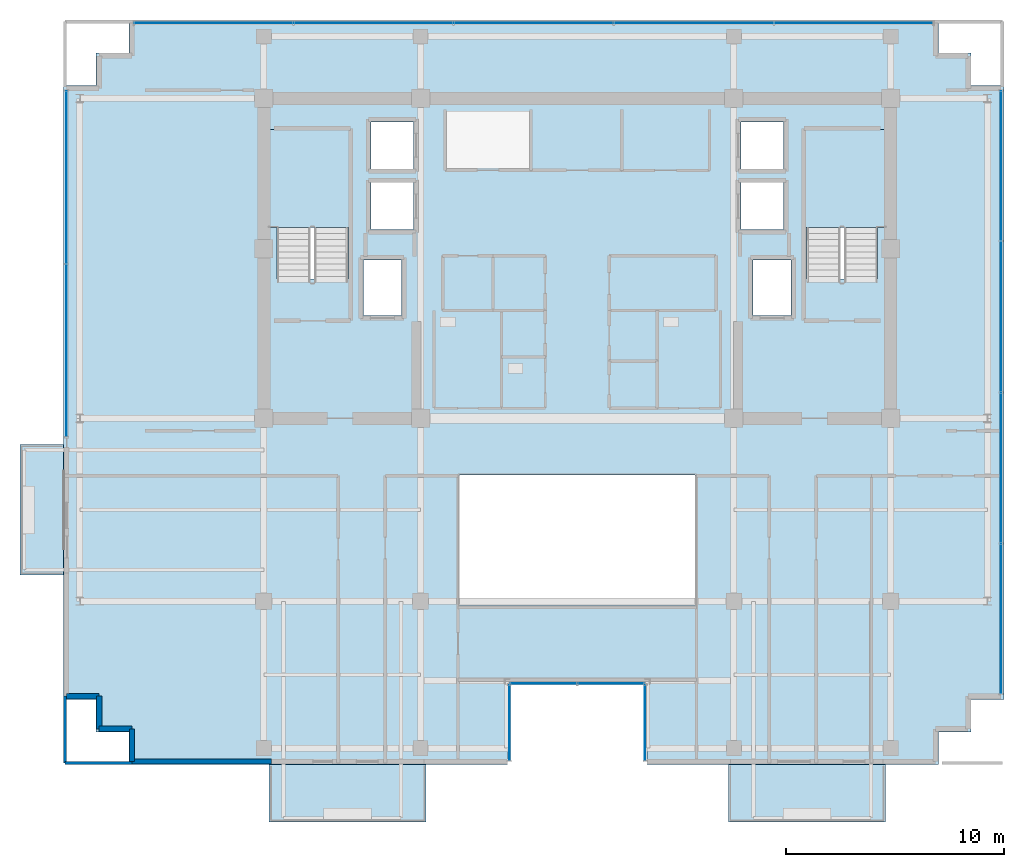
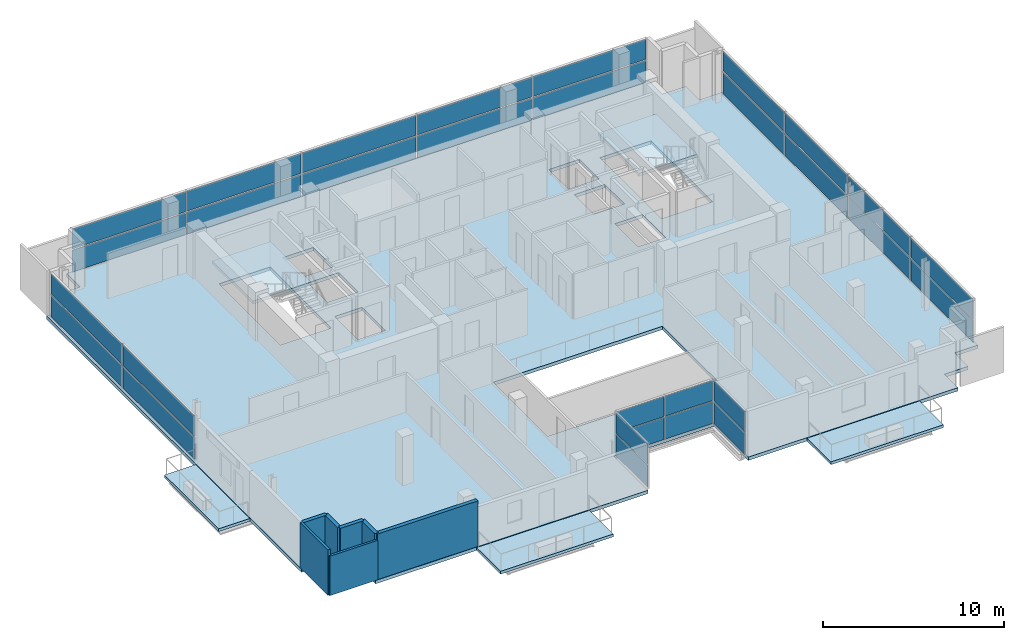
# One storey, part 14 of 22: 30 plates, 7 walls, 6 slabs, 8 elements without a shape of their own.
"""IFC4 building model written with IfcOpenShell, lengths in metres."""

from ifc_helpers import new_model, si_unit, direction, frame, frame_2d, origin, origin_2d, place, context, subcontext, project, spatial, polyline, rectangle, outline, extrude, source, transform, mapped, material, layer, layer_set, type_object, element, aggregate, save


model = new_model("IFC4")

# Units and contexts
model_context = context("Model", 3, precision=1e-05, world=origin(), true_north=direction((0.0, 1.0)))
body_context = subcontext(model_context, "Body", "Model", "MODEL_VIEW")
ifc_project = project(units=[si_unit("LENGTHUNIT", "METRE"), si_unit("AREAUNIT", "SQUARE_METRE"), si_unit("VOLUMEUNIT", "CUBIC_METRE"), si_unit("PLANEANGLEUNIT", "RADIAN"), si_unit("MASSUNIT", "GRAM", prefix="KILO")], contexts=[model_context])

# Site, building, storey
site_placement = place(None, origin())
site = spatial("IfcSite", under=ifc_project, at=site_placement, CompositionType="ELEMENT")
building_placement = place(site_placement, origin())
building = spatial("IfcBuilding", under=site, at=building_placement, Name="Zarnakvel Exchange Tower", CompositionType="ELEMENT")
storey_placement = place(building_placement, frame((0.0, 0.0, 228.699951171875)))
storey = spatial("IfcBuildingStorey", under=building, at=storey_placement, Name="L64", CompositionType="ELEMENT", Elevation=228.699951171875)

# Stair, slab
ifc_material_1 = material(Name="Concrete C40/50", Category="concrete")
stair_type = type_object("IfcStairType", Name="STR-01", PredefinedType="HALF_TURN_STAIR", material=ifc_material_1)
stair_1_placement = place(storey_placement, origin())
stair_1 = element("IfcStair", 1, at=stair_1_placement, inside=storey, type_object=stair_type, Name="L64 Protected Core Exit Stair ST-01", PredefinedType="HALF_TURN_STAIR")
ifc_layer_1 = layer(ifc_material_1, 0.199951171875)
ifc_layer_set_1 = layer_set([ifc_layer_1], Name="Concrete C40/50")
slab_type_1 = type_object("IfcSlabType", Name="LDG-01", PredefinedType="LANDING", material=ifc_layer_set_1)
slab_1_placement = place(storey_placement, frame((0.0, 0.0, 1.449951171875)))
slab_1 = element("IfcSlab", 2, at=slab_1_placement, type_object=slab_type_1, Name="ST-01 landing 1", PredefinedType="LANDING", context=body_context, shape_type="SweptSolid", body=[
    extrude(outline(polyline([(-14.18994140625, 7.570068359375), (-10.4599609375, 7.570068359375), (-10.4599609375, 12.080078125), (-14.18994140625, 12.080078125), (-14.18994140625, 7.570068359375)])), origin(), (0.0, 0.0, 1.0), 0.2001953125),
])
aggregate(stair_1, [slab_1])

stair_2_placement = place(storey_placement, origin())
stair_2 = element("IfcStair", 3, at=stair_2_placement, inside=storey, type_object=stair_type, Name="L64 Protected Core Exit Stair ST-02", PredefinedType="HALF_TURN_STAIR")
slab_2_placement = place(storey_placement, frame((0.0, 0.0, 1.449951171875)))
slab_2 = element("IfcSlab", 4, at=slab_2_placement, type_object=slab_type_1, Name="ST-02 landing 1", PredefinedType="LANDING", context=body_context, shape_type="SweptSolid", body=[
    extrude(outline(polyline([(10.4599609375, 7.570068359375), (14.18994140625, 7.570068359375), (14.18994140625, 12.080078125), (10.4599609375, 12.080078125), (10.4599609375, 7.570068359375)])), origin(), (0.0, 0.0, 1.0), 0.2001953125),
])
aggregate(stair_2, [slab_2])

# Slabs
ifc_layer_2 = layer(ifc_material_1, 0.22509765625)
ifc_layer_set_2 = layer_set([ifc_layer_2], Name="Concrete C40/50")
slab_type_2 = type_object("IfcSlabType", Name="SL-04", PredefinedType="FLOOR", material=ifc_layer_set_2)
slab_3_placement = place(storey_placement, frame((0.0, 0.0, -0.224853515625)))
element("IfcSlab", 5, at=slab_3_placement, inside=storey, type_object=slab_type_2, Name="L64 Primary Structural Floor Slab", PredefinedType="FLOOR", context=body_context, shape_type="SweptSolid", body=[
    extrude(outline(polyline([(-23.60009765625, -14.10009765625), (-22.10009765625, -14.10009765625), (-22.10009765625, -15.60009765625), (-20.60009765625, -15.60009765625), (-20.60009765625, -17.10009765625), (-3.199951171875, -17.10009765625), (-3.199951171875, -13.300048828125), (3.199951171875, -13.300048828125), (3.199951171875, -17.10009765625), (16.60009765625, -17.10009765625), (16.60009765625, -15.60009765625), (18.10009765625, -15.60009765625), (18.10009765625, -14.10009765625), (19.60009765625, -14.10009765625), (19.60009765625, 14.10009765625), (18.10009765625, 14.10009765625), (18.10009765625, 15.60009765625), (16.60009765625, 15.60009765625), (16.60009765625, 17.10009765625), (-20.60009765625, 17.10009765625), (-20.60009765625, 15.60009765625), (-22.10009765625, 15.60009765625), (-22.10009765625, 14.10009765625), (-23.60009765625, 14.10009765625), (-23.60009765625, -14.10009765625)]), holes=[polyline([(-5.39990234375, -9.800048828125), (5.39990234375, -9.800048828125), (5.39990234375, -3.800048828125), (-5.39990234375, -3.800048828125), (-5.39990234375, -9.800048828125)]), polyline([(-13.800048828125, 5.2099609375), (-10.5400390625, 5.2099609375), (-10.5400390625, 12.0), (-13.800048828125, 12.0), (-13.800048828125, 5.2099609375)]), polyline([(10.5400390625, 5.2099609375), (13.800048828125, 5.2099609375), (13.800048828125, 12.0), (10.5400390625, 12.0), (10.5400390625, 5.2099609375)]), polyline([(-9.830078125, 3.52001953125), (-8.070068359375, 3.52001953125), (-8.070068359375, 6.080078125), (-9.830078125, 6.080078125), (-9.830078125, 3.52001953125)]), polyline([(8.070068359375, 3.52001953125), (9.830078125, 3.52001953125), (9.830078125, 6.080078125), (8.070068359375, 6.080078125), (8.070068359375, 3.52001953125)]), polyline([(-9.47998046875, 7.469970703125), (-7.52001953125, 7.469970703125), (-7.52001953125, 9.6298828125), (-9.47998046875, 9.6298828125), (-9.47998046875, 7.469970703125)]), polyline([(-9.47998046875, 10.27001953125), (-7.52001953125, 10.27001953125), (-7.52001953125, 12.429931640625), (-9.47998046875, 12.429931640625), (-9.47998046875, 10.27001953125)]), polyline([(7.52001953125, 7.469970703125), (9.47998046875, 7.469970703125), (9.47998046875, 9.6298828125), (7.52001953125, 9.6298828125), (7.52001953125, 7.469970703125)]), polyline([(7.52001953125, 10.27001953125), (9.47998046875, 10.27001953125), (9.47998046875, 12.429931640625), (7.52001953125, 12.429931640625), (7.52001953125, 10.27001953125)])]), origin(), (0.0, 0.0, 1.0), 0.224853515625),
])
ifc_layer_3 = layer(ifc_material_1, 0.18994140625)
ifc_layer_set_3 = layer_set([ifc_layer_3], Name="Concrete C40/50")
slab_type_3 = type_object("IfcSlabType", Name="SL-08", PredefinedType="USERDEFINED", material=ifc_layer_set_3)
slab_4_placement = place(storey_placement, frame((0.0, 0.0, -0.224853515625)))
element("IfcSlab", 6, at=slab_4_placement, inside=storey, type_object=slab_type_3, Name="L64 Planted Loggia Balcony Slab BAL-L64-SW", ObjectType="BALCONY", PredefinedType="USERDEFINED", context=body_context, shape_type="SweptSolid", body=[
    extrude(outline(polyline([(-14.14990234375, -19.75), (-6.949951171875, -19.75), (-6.949951171875, -17.10009765625), (-14.14990234375, -17.10009765625), (-14.14990234375, -19.75)])), origin(), (0.0, 0.0, 1.0), 0.18994140625),
])
slab_5_placement = place(storey_placement, frame((0.0, 0.0, -0.224853515625)))
element("IfcSlab", 7, at=slab_5_placement, inside=storey, type_object=slab_type_3, Name="L64 Planted Loggia Balcony Slab BAL-L64-SE", ObjectType="BALCONY", PredefinedType="USERDEFINED", context=body_context, shape_type="SweptSolid", body=[
    extrude(outline(polyline([(6.949951171875, -19.75), (14.14990234375, -19.75), (14.14990234375, -17.10009765625), (6.949951171875, -17.10009765625), (6.949951171875, -19.75)])), origin(), (0.0, 0.0, 1.0), 0.18994140625),
])
slab_6_placement = place(storey_placement, frame((0.0, 0.0, -0.224853515625)))
element("IfcSlab", 8, at=slab_6_placement, inside=storey, type_object=slab_type_3, Name="L64 Planted Loggia Balcony Slab BAL-L64-W", ObjectType="BALCONY", PredefinedType="USERDEFINED", context=body_context, shape_type="SweptSolid", body=[
    extrude(outline(polyline([(-25.60009765625, -8.39990234375), (-23.60009765625, -8.39990234375), (-23.60009765625, -2.39990234375), (-25.60009765625, -2.39990234375), (-25.60009765625, -8.39990234375)])), origin(), (0.0, 0.0, 1.0), 0.18994140625),
])

# Curtain wall, plate
ifc_material_2 = material(Name="Architectural Bronze Anodised Aluminium", Category="aluminium")
ifc_layer_4 = layer(ifc_material_2, 0.179931640625)
ifc_layer_set_4 = layer_set([ifc_layer_4], Name="Architectural Bronze Anodised Aluminium")
curtain_wall_type_1 = type_object("IfcCurtainWallType", Name="CW-05", PredefinedType="NOTDEFINED", material=ifc_layer_set_4)
curtain_wall_1_placement = place(storey_placement, origin())
curtain_wall_1 = element("IfcCurtainWall", 9, at=curtain_wall_1_placement, inside=storey, type_object=curtain_wall_type_1, Name="L64 Curtain Wall CW-L64-SLW (CW-05)", PredefinedType="NOTDEFINED")
ifc_material_3 = material(Name="Double Low-E Laminated Vision Glass", Category="glass")
ifc_layer_5 = layer(ifc_material_3, 0.02587890625)
ifc_layer_set_5 = layer_set([ifc_layer_5], Name="Double Low-E Laminated Vision Glass")
plate_type_1 = type_object("IfcPlateType", Name="CWP-05", PredefinedType="CURTAIN_PANEL", material=ifc_layer_set_5)
shared_shape_1 = source(origin(), body_context, "Body", "SweptSolid", [
    extrude(rectangle(XDim=3.4599609375, YDim=0.02587890625, at=origin_2d()), origin(), (0.0, 0.0, 1.0), 1.483642578125),
])
plate_1_placement = place(storey_placement, frame((-3.1201171875, -15.179931640625, 0.06982421875), z_axis=(0.0, 0.0, 1.0), x_axis=(0.0, 1.0, 0.0)))
plate_1 = element("IfcPlate", 10, at=plate_1_placement, type_object=plate_type_1, Name="CW-05 panel 1.1", PredefinedType="CURTAIN_PANEL", context=body_context, shape_type="MappedRepresentation", body=[
    mapped(shared_shape_1, transform((0.0, 0.0, 0.0), x_axis=(1.0, 0.0, 0.0), y_axis=(0.0, 1.0, 0.0), z_axis=(0.0, 0.0, 1.0), scale=1.0)),
])

curtain_wall_2_placement = place(storey_placement, origin())
curtain_wall_2 = element("IfcCurtainWall", 11, at=curtain_wall_2_placement, inside=storey, type_object=curtain_wall_type_1, Name="L64 Curtain Wall CW-L64-SLE (CW-05)", PredefinedType="NOTDEFINED")
plate_2_placement = place(storey_placement, frame((3.1201171875, -15.179931640625, 0.06982421875), z_axis=(0.0, 0.0, 1.0), x_axis=(0.0, -1.0, 0.0)))
plate_2 = element("IfcPlate", 12, at=plate_2_placement, type_object=plate_type_1, Name="CW-05 panel 1.1", PredefinedType="CURTAIN_PANEL", context=body_context, shape_type="MappedRepresentation", body=[
    mapped(shared_shape_1, transform((0.0, 0.0, 0.0), x_axis=(1.0, 0.0, 0.0), y_axis=(0.0, 1.0, 0.0), z_axis=(0.0, 0.0, 1.0), scale=1.0)),
])

# Plate
shared_shape_2 = source(origin(), body_context, "Body", "SweptSolid", [
    extrude(rectangle(XDim=3.4599609375, YDim=0.02587890625, at=origin_2d()), origin(), (0.0, 0.0, 1.0), 1.361328125),
])
plate_3_placement = place(storey_placement, frame((-3.1201171875, -15.179931640625, 1.623779296875), z_axis=(0.0, 0.0, 1.0), x_axis=(0.0, 1.0, 0.0)))
plate_3 = element("IfcPlate", 13, at=plate_3_placement, type_object=plate_type_1, Name="CW-05 panel 1.2", PredefinedType="CURTAIN_PANEL", context=body_context, shape_type="MappedRepresentation", body=[
    mapped(shared_shape_2, transform((0.0, 0.0, 0.0), x_axis=(1.0, 0.0, 0.0), y_axis=(0.0, 1.0, 0.0), z_axis=(0.0, 0.0, 1.0), scale=1.0)),
])

aggregate(curtain_wall_1, [plate_1, plate_3])

plate_4_placement = place(storey_placement, frame((3.1201171875, -15.179931640625, 1.623779296875), z_axis=(0.0, 0.0, 1.0), x_axis=(0.0, -1.0, 0.0)))
plate_4 = element("IfcPlate", 14, at=plate_4_placement, type_object=plate_type_1, Name="CW-05 panel 1.2", PredefinedType="CURTAIN_PANEL", context=body_context, shape_type="MappedRepresentation", body=[
    mapped(shared_shape_2, transform((0.0, 0.0, 0.0), x_axis=(1.0, 0.0, 0.0), y_axis=(0.0, 1.0, 0.0), z_axis=(0.0, 0.0, 1.0), scale=1.0)),
])

aggregate(curtain_wall_2, [plate_2, plate_4])

# Curtain wall, plates
curtain_wall_3_placement = place(storey_placement, origin())
curtain_wall_3 = element("IfcCurtainWall", 15, at=curtain_wall_3_placement, inside=storey, type_object=curtain_wall_type_1, Name="L64 Curtain Wall CW-L64-SLB (CW-05)", PredefinedType="NOTDEFINED")
shared_shape_3 = source(origin(), body_context, "Body", "SweptSolid", [
    extrude(rectangle(XDim=3.014892578125, YDim=0.02587890625, at=origin_2d()), origin(), (0.0, 0.0, 1.0), 1.483642578125),
])
plate_5_placement = place(storey_placement, frame((-1.54248046875, -13.3798828125, 0.06982421875), z_axis=(0.0, 0.0, 1.0), x_axis=(1.0, 0.0, 0.0)))
plate_5 = element("IfcPlate", 16, at=plate_5_placement, type_object=plate_type_1, Name="CW-05 panel 1.1", PredefinedType="CURTAIN_PANEL", context=body_context, shape_type="MappedRepresentation", body=[
    mapped(shared_shape_3, transform((0.0, 0.0, 0.0), x_axis=(1.0, 0.0, 0.0), y_axis=(0.0, 1.0, 0.0), z_axis=(0.0, 0.0, 1.0), scale=1.0)),
])
plate_6_placement = place(storey_placement, frame((1.54248046875, -13.3798828125, 0.06982421875), z_axis=(0.0, 0.0, 1.0), x_axis=(1.0, 0.0, 0.0)))
plate_6 = element("IfcPlate", 17, at=plate_6_placement, type_object=plate_type_1, Name="CW-05 panel 2.1", PredefinedType="CURTAIN_PANEL", context=body_context, shape_type="MappedRepresentation", body=[
    mapped(shared_shape_3, transform((0.0, 0.0, 0.0), x_axis=(1.0, 0.0, 0.0), y_axis=(0.0, 1.0, 0.0), z_axis=(0.0, 0.0, 1.0), scale=1.0)),
])
shared_shape_4 = source(origin(), body_context, "Body", "SweptSolid", [
    extrude(rectangle(XDim=3.014892578125, YDim=0.02587890625, at=origin_2d()), origin(), (0.0, 0.0, 1.0), 1.361328125),
])
plate_7_placement = place(storey_placement, frame((-1.54248046875, -13.3798828125, 1.623779296875), z_axis=(0.0, 0.0, 1.0), x_axis=(1.0, 0.0, 0.0)))
plate_7 = element("IfcPlate", 18, at=plate_7_placement, type_object=plate_type_1, Name="CW-05 panel 1.2", PredefinedType="CURTAIN_PANEL", context=body_context, shape_type="MappedRepresentation", body=[
    mapped(shared_shape_4, transform((0.0, 0.0, 0.0), x_axis=(1.0, 0.0, 0.0), y_axis=(0.0, 1.0, 0.0), z_axis=(0.0, 0.0, 1.0), scale=1.0)),
])
plate_8_placement = place(storey_placement, frame((1.54248046875, -13.3798828125, 1.623779296875), z_axis=(0.0, 0.0, 1.0), x_axis=(1.0, 0.0, 0.0)))
plate_8 = element("IfcPlate", 19, at=plate_8_placement, type_object=plate_type_1, Name="CW-05 panel 2.2", PredefinedType="CURTAIN_PANEL", context=body_context, shape_type="MappedRepresentation", body=[
    mapped(shared_shape_4, transform((0.0, 0.0, 0.0), x_axis=(1.0, 0.0, 0.0), y_axis=(0.0, 1.0, 0.0), z_axis=(0.0, 0.0, 1.0), scale=1.0)),
])
aggregate(curtain_wall_3, [plate_5, plate_7, plate_6, plate_8])

ifc_layer_6 = layer(ifc_material_2, 0.199951171875)
ifc_layer_set_6 = layer_set([ifc_layer_6], Name="Architectural Bronze Anodised Aluminium")
curtain_wall_type_2 = type_object("IfcCurtainWallType", Name="CW-04", PredefinedType="NOTDEFINED", material=ifc_layer_set_6)
curtain_wall_4_placement = place(storey_placement, origin())
curtain_wall_4 = element("IfcCurtainWall", 20, at=curtain_wall_4_placement, inside=storey, type_object=curtain_wall_type_2, Name="L64 Curtain Wall CW-L64-E1 (CW-04)", PredefinedType="NOTDEFINED")
ifc_layer_7 = layer(ifc_material_3, 0.028076171875)
ifc_layer_set_7 = layer_set([ifc_layer_7], Name="Double Low-E Laminated Vision Glass")
plate_type_2 = type_object("IfcPlateType", Name="CWP-04", PredefinedType="CURTAIN_PANEL", material=ifc_layer_set_7)
shared_shape_5 = source(origin(), body_context, "Body", "SweptSolid", [
    extrude(rectangle(XDim=6.83740234375, YDim=0.028076171875, at=origin_2d()), origin(), (0.0, 0.0, 1.0), 1.47607421875),
])
plate_9_placement = place(storey_placement, frame((19.4599609375, -10.40625, 0.074951171875), z_axis=(0.0, 0.0, 1.0), x_axis=(0.0, 1.0, 0.0)))
plate_9 = element("IfcPlate", 21, at=plate_9_placement, type_object=plate_type_2, Name="CW-04 panel 1.1", PredefinedType="CURTAIN_PANEL", context=body_context, shape_type="MappedRepresentation", body=[
    mapped(shared_shape_5, transform((0.0, 0.0, 0.0), x_axis=(1.0, 0.0, 0.0), y_axis=(0.0, 1.0, 0.0), z_axis=(0.0, 0.0, 1.0), scale=1.0)),
])
plate_10_placement = place(storey_placement, frame((19.4599609375, 10.40625, 0.074951171875), z_axis=(0.0, 0.0, 1.0), x_axis=(0.0, 1.0, 0.0)))
plate_10 = element("IfcPlate", 22, at=plate_10_placement, type_object=plate_type_2, Name="CW-04 panel 4.1", PredefinedType="CURTAIN_PANEL", context=body_context, shape_type="MappedRepresentation", body=[
    mapped(shared_shape_5, transform((0.0, 0.0, 0.0), x_axis=(1.0, 0.0, 0.0), y_axis=(0.0, 1.0, 0.0), z_axis=(0.0, 0.0, 1.0), scale=1.0)),
])
shared_shape_6 = source(origin(), body_context, "Body", "SweptSolid", [
    extrude(rectangle(XDim=6.83740234375, YDim=0.028076171875, at=origin_2d()), origin(), (0.0, 0.0, 1.0), 1.35400390625),
])
plate_11_placement = place(storey_placement, frame((19.4599609375, -10.40625, 1.6259765625), z_axis=(0.0, 0.0, 1.0), x_axis=(0.0, 1.0, 0.0)))
plate_11 = element("IfcPlate", 23, at=plate_11_placement, type_object=plate_type_2, Name="CW-04 panel 1.2", PredefinedType="CURTAIN_PANEL", context=body_context, shape_type="MappedRepresentation", body=[
    mapped(shared_shape_6, transform((0.0, 0.0, 0.0), x_axis=(1.0, 0.0, 0.0), y_axis=(0.0, 1.0, 0.0), z_axis=(0.0, 0.0, 1.0), scale=1.0)),
])
plate_12_placement = place(storey_placement, frame((19.4599609375, 10.40625, 1.6259765625), z_axis=(0.0, 0.0, 1.0), x_axis=(0.0, 1.0, 0.0)))
plate_12 = element("IfcPlate", 24, at=plate_12_placement, type_object=plate_type_2, Name="CW-04 panel 4.2", PredefinedType="CURTAIN_PANEL", context=body_context, shape_type="MappedRepresentation", body=[
    mapped(shared_shape_6, transform((0.0, 0.0, 0.0), x_axis=(1.0, 0.0, 0.0), y_axis=(0.0, 1.0, 0.0), z_axis=(0.0, 0.0, 1.0), scale=1.0)),
])
shared_shape_7 = source(origin(), body_context, "Body", "SweptSolid", [
    extrude(rectangle(XDim=6.875, YDim=0.028076171875, at=origin_2d()), origin(), (0.0, 0.0, 1.0), 1.47607421875),
])
plate_13_placement = place(storey_placement, frame((19.4599609375, -3.47509765625, 0.074951171875), z_axis=(0.0, 0.0, 1.0), x_axis=(0.0, 1.0, 0.0)))
plate_13 = element("IfcPlate", 25, at=plate_13_placement, type_object=plate_type_2, Name="CW-04 panel 2.1", PredefinedType="CURTAIN_PANEL", context=body_context, shape_type="MappedRepresentation", body=[
    mapped(shared_shape_7, transform((0.0, 0.0, 0.0), x_axis=(1.0, 0.0, 0.0), y_axis=(0.0, 1.0, 0.0), z_axis=(0.0, 0.0, 1.0), scale=1.0)),
])
plate_14_placement = place(storey_placement, frame((19.4599609375, 3.47509765625, 0.074951171875), z_axis=(0.0, 0.0, 1.0), x_axis=(0.0, 1.0, 0.0)))
plate_14 = element("IfcPlate", 26, at=plate_14_placement, type_object=plate_type_2, Name="CW-04 panel 3.1", PredefinedType="CURTAIN_PANEL", context=body_context, shape_type="MappedRepresentation", body=[
    mapped(shared_shape_7, transform((0.0, 0.0, 0.0), x_axis=(1.0, 0.0, 0.0), y_axis=(0.0, 1.0, 0.0), z_axis=(0.0, 0.0, 1.0), scale=1.0)),
])
shared_shape_8 = source(origin(), body_context, "Body", "SweptSolid", [
    extrude(rectangle(XDim=6.875, YDim=0.028076171875, at=origin_2d()), origin(), (0.0, 0.0, 1.0), 1.35400390625),
])
plate_15_placement = place(storey_placement, frame((19.4599609375, -3.47509765625, 1.6259765625), z_axis=(0.0, 0.0, 1.0), x_axis=(0.0, 1.0, 0.0)))
plate_15 = element("IfcPlate", 27, at=plate_15_placement, type_object=plate_type_2, Name="CW-04 panel 2.2", PredefinedType="CURTAIN_PANEL", context=body_context, shape_type="MappedRepresentation", body=[
    mapped(shared_shape_8, transform((0.0, 0.0, 0.0), x_axis=(1.0, 0.0, 0.0), y_axis=(0.0, 1.0, 0.0), z_axis=(0.0, 0.0, 1.0), scale=1.0)),
])
plate_16_placement = place(storey_placement, frame((19.4599609375, 3.47509765625, 1.6259765625), z_axis=(0.0, 0.0, 1.0), x_axis=(0.0, 1.0, 0.0)))
plate_16 = element("IfcPlate", 28, at=plate_16_placement, type_object=plate_type_2, Name="CW-04 panel 3.2", PredefinedType="CURTAIN_PANEL", context=body_context, shape_type="MappedRepresentation", body=[
    mapped(shared_shape_8, transform((0.0, 0.0, 0.0), x_axis=(1.0, 0.0, 0.0), y_axis=(0.0, 1.0, 0.0), z_axis=(0.0, 0.0, 1.0), scale=1.0)),
])
aggregate(curtain_wall_4, [plate_9, plate_11, plate_13, plate_15, plate_14, plate_16, plate_10, plate_12])

curtain_wall_5_placement = place(storey_placement, origin())
curtain_wall_5 = element("IfcCurtainWall", 29, at=curtain_wall_5_placement, inside=storey, type_object=curtain_wall_type_2, Name="L64 Curtain Wall CW-L64-WN (CW-04)", PredefinedType="NOTDEFINED")
shared_shape_9 = source(origin(), body_context, "Body", "SweptSolid", [
    extrude(rectangle(XDim=7.887451171875, YDim=0.028076171875, at=origin_2d()), origin(), (0.0, 0.0, 1.0), 1.47607421875),
])
plate_17_placement = place(storey_placement, frame((-23.4599609375, 1.918701171875, 0.074951171875), z_axis=(0.0, 0.0, 1.0), x_axis=(0.0, 1.0, 0.0)))
plate_17 = element("IfcPlate", 30, at=plate_17_placement, type_object=plate_type_2, Name="CW-04 panel 1.1", PredefinedType="CURTAIN_PANEL", context=body_context, shape_type="MappedRepresentation", body=[
    mapped(shared_shape_9, transform((0.0, 0.0, 0.0), x_axis=(1.0, 0.0, 0.0), y_axis=(0.0, 1.0, 0.0), z_axis=(0.0, 0.0, 1.0), scale=1.0)),
])
plate_18_placement = place(storey_placement, frame((-23.4599609375, 9.88134765625, 0.074951171875), z_axis=(0.0, 0.0, 1.0), x_axis=(0.0, 1.0, 0.0)))
plate_18 = element("IfcPlate", 31, at=plate_18_placement, type_object=plate_type_2, Name="CW-04 panel 2.1", PredefinedType="CURTAIN_PANEL", context=body_context, shape_type="MappedRepresentation", body=[
    mapped(shared_shape_9, transform((0.0, 0.0, 0.0), x_axis=(1.0, 0.0, 0.0), y_axis=(0.0, 1.0, 0.0), z_axis=(0.0, 0.0, 1.0), scale=1.0)),
])
shared_shape_10 = source(origin(), body_context, "Body", "SweptSolid", [
    extrude(rectangle(XDim=7.887451171875, YDim=0.028076171875, at=origin_2d()), origin(), (0.0, 0.0, 1.0), 1.35400390625),
])
plate_19_placement = place(storey_placement, frame((-23.4599609375, 1.918701171875, 1.6259765625), z_axis=(0.0, 0.0, 1.0), x_axis=(0.0, 1.0, 0.0)))
plate_19 = element("IfcPlate", 32, at=plate_19_placement, type_object=plate_type_2, Name="CW-04 panel 1.2", PredefinedType="CURTAIN_PANEL", context=body_context, shape_type="MappedRepresentation", body=[
    mapped(shared_shape_10, transform((0.0, 0.0, 0.0), x_axis=(1.0, 0.0, 0.0), y_axis=(0.0, 1.0, 0.0), z_axis=(0.0, 0.0, 1.0), scale=1.0)),
])
plate_20_placement = place(storey_placement, frame((-23.4599609375, 9.88134765625, 1.6259765625), z_axis=(0.0, 0.0, 1.0), x_axis=(0.0, 1.0, 0.0)))
plate_20 = element("IfcPlate", 33, at=plate_20_placement, type_object=plate_type_2, Name="CW-04 panel 2.2", PredefinedType="CURTAIN_PANEL", context=body_context, shape_type="MappedRepresentation", body=[
    mapped(shared_shape_10, transform((0.0, 0.0, 0.0), x_axis=(1.0, 0.0, 0.0), y_axis=(0.0, 1.0, 0.0), z_axis=(0.0, 0.0, 1.0), scale=1.0)),
])
aggregate(curtain_wall_5, [plate_17, plate_19, plate_18, plate_20])

ifc_layer_8 = layer(ifc_material_2, 0.219970703125)
ifc_layer_set_8 = layer_set([ifc_layer_8], Name="Architectural Bronze Anodised Aluminium")
curtain_wall_type_3 = type_object("IfcCurtainWallType", Name="CW-03", PredefinedType="NOTDEFINED", material=ifc_layer_set_8)
curtain_wall_6_placement = place(storey_placement, origin())
curtain_wall_6 = element("IfcCurtainWall", 34, at=curtain_wall_6_placement, inside=storey, type_object=curtain_wall_type_3, Name="L64 Curtain Wall CW-L64-N1 (CW-03)", PredefinedType="NOTDEFINED")
ifc_layer_9 = layer(ifc_material_3, 0.030029296875)
ifc_layer_set_9 = layer_set([ifc_layer_9], Name="Double Low-E Laminated Vision Glass")
plate_type_3 = type_object("IfcPlateType", Name="CWP-03", PredefinedType="CURTAIN_PANEL", material=ifc_layer_set_9)
shared_shape_11 = source(origin(), body_context, "Body", "SweptSolid", [
    extrude(rectangle(XDim=7.239990234375, YDim=0.030029296875, at=origin_2d()), origin(), (0.0, 0.0, 1.0), 1.468505859375),
])
plate_21_placement = place(storey_placement, frame((-16.699951171875, 16.9599609375, 0.080078125), z_axis=(0.0, 0.0, 1.0), x_axis=(1.0, 0.0, 0.0)))
plate_21 = element("IfcPlate", 35, at=plate_21_placement, type_object=plate_type_3, Name="CW-03 panel 1.1", PredefinedType="CURTAIN_PANEL", context=body_context, shape_type="MappedRepresentation", body=[
    mapped(shared_shape_11, transform((0.0, 0.0, 0.0), x_axis=(1.0, 0.0, 0.0), y_axis=(0.0, 1.0, 0.0), z_axis=(0.0, 0.0, 1.0), scale=1.0)),
])
plate_22_placement = place(storey_placement, frame((12.699951171875, 16.9599609375, 0.080078125), z_axis=(0.0, 0.0, 1.0), x_axis=(1.0, 0.0, 0.0)))
plate_22 = element("IfcPlate", 36, at=plate_22_placement, type_object=plate_type_3, Name="CW-03 panel 5.1", PredefinedType="CURTAIN_PANEL", context=body_context, shape_type="MappedRepresentation", body=[
    mapped(shared_shape_11, transform((0.0, 0.0, 0.0), x_axis=(1.0, 0.0, 0.0), y_axis=(0.0, 1.0, 0.0), z_axis=(0.0, 0.0, 1.0), scale=1.0)),
])
shared_shape_12 = source(origin(), body_context, "Body", "SweptSolid", [
    extrude(rectangle(XDim=7.239990234375, YDim=0.030029296875, at=origin_2d()), origin(), (0.0, 0.0, 1.0), 1.346435546875),
])
plate_23_placement = place(storey_placement, frame((-16.699951171875, 16.9599609375, 1.62841796875), z_axis=(0.0, 0.0, 1.0), x_axis=(1.0, 0.0, 0.0)))
plate_23 = element("IfcPlate", 37, at=plate_23_placement, type_object=plate_type_3, Name="CW-03 panel 1.2", PredefinedType="CURTAIN_PANEL", context=body_context, shape_type="MappedRepresentation", body=[
    mapped(shared_shape_12, transform((0.0, 0.0, 0.0), x_axis=(1.0, 0.0, 0.0), y_axis=(0.0, 1.0, 0.0), z_axis=(0.0, 0.0, 1.0), scale=1.0)),
])
plate_24_placement = place(storey_placement, frame((12.699951171875, 16.9599609375, 1.62841796875), z_axis=(0.0, 0.0, 1.0), x_axis=(1.0, 0.0, 0.0)))
plate_24 = element("IfcPlate", 38, at=plate_24_placement, type_object=plate_type_3, Name="CW-03 panel 5.2", PredefinedType="CURTAIN_PANEL", context=body_context, shape_type="MappedRepresentation", body=[
    mapped(shared_shape_12, transform((0.0, 0.0, 0.0), x_axis=(1.0, 0.0, 0.0), y_axis=(0.0, 1.0, 0.0), z_axis=(0.0, 0.0, 1.0), scale=1.0)),
])
shared_shape_13 = source(origin(), body_context, "Body", "SweptSolid", [
    extrude(rectangle(XDim=7.280029296875, YDim=0.030029296875, at=origin_2d()), origin(), (0.0, 0.0, 1.0), 1.468505859375),
])
plate_25_placement = place(storey_placement, frame((-9.360107421875, 16.9599609375, 0.080078125), z_axis=(0.0, 0.0, 1.0), x_axis=(1.0, 0.0, 0.0)))
plate_25 = element("IfcPlate", 39, at=plate_25_placement, type_object=plate_type_3, Name="CW-03 panel 2.1", PredefinedType="CURTAIN_PANEL", context=body_context, shape_type="MappedRepresentation", body=[
    mapped(shared_shape_13, transform((0.0, 0.0, 0.0), x_axis=(1.0, 0.0, 0.0), y_axis=(0.0, 1.0, 0.0), z_axis=(0.0, 0.0, 1.0), scale=1.0)),
])
plate_26_placement = place(storey_placement, frame((-2.0, 16.9599609375, 0.080078125), z_axis=(0.0, 0.0, 1.0), x_axis=(1.0, 0.0, 0.0)))
plate_26 = element("IfcPlate", 40, at=plate_26_placement, type_object=plate_type_3, Name="CW-03 panel 3.1", PredefinedType="CURTAIN_PANEL", context=body_context, shape_type="MappedRepresentation", body=[
    mapped(shared_shape_13, transform((0.0, 0.0, 0.0), x_axis=(1.0, 0.0, 0.0), y_axis=(0.0, 1.0, 0.0), z_axis=(0.0, 0.0, 1.0), scale=1.0)),
])
plate_27_placement = place(storey_placement, frame((5.360107421875, 16.9599609375, 0.080078125), z_axis=(0.0, 0.0, 1.0), x_axis=(1.0, 0.0, 0.0)))
plate_27 = element("IfcPlate", 41, at=plate_27_placement, type_object=plate_type_3, Name="CW-03 panel 4.1", PredefinedType="CURTAIN_PANEL", context=body_context, shape_type="MappedRepresentation", body=[
    mapped(shared_shape_13, transform((0.0, 0.0, 0.0), x_axis=(1.0, 0.0, 0.0), y_axis=(0.0, 1.0, 0.0), z_axis=(0.0, 0.0, 1.0), scale=1.0)),
])
shared_shape_14 = source(origin(), body_context, "Body", "SweptSolid", [
    extrude(rectangle(XDim=7.280029296875, YDim=0.030029296875, at=origin_2d()), origin(), (0.0, 0.0, 1.0), 1.346435546875),
])
plate_28_placement = place(storey_placement, frame((-9.360107421875, 16.9599609375, 1.62841796875), z_axis=(0.0, 0.0, 1.0), x_axis=(1.0, 0.0, 0.0)))
plate_28 = element("IfcPlate", 42, at=plate_28_placement, type_object=plate_type_3, Name="CW-03 panel 2.2", PredefinedType="CURTAIN_PANEL", context=body_context, shape_type="MappedRepresentation", body=[
    mapped(shared_shape_14, transform((0.0, 0.0, 0.0), x_axis=(1.0, 0.0, 0.0), y_axis=(0.0, 1.0, 0.0), z_axis=(0.0, 0.0, 1.0), scale=1.0)),
])
plate_29_placement = place(storey_placement, frame((-2.0, 16.9599609375, 1.62841796875), z_axis=(0.0, 0.0, 1.0), x_axis=(1.0, 0.0, 0.0)))
plate_29 = element("IfcPlate", 43, at=plate_29_placement, type_object=plate_type_3, Name="CW-03 panel 3.2", PredefinedType="CURTAIN_PANEL", context=body_context, shape_type="MappedRepresentation", body=[
    mapped(shared_shape_14, transform((0.0, 0.0, 0.0), x_axis=(1.0, 0.0, 0.0), y_axis=(0.0, 1.0, 0.0), z_axis=(0.0, 0.0, 1.0), scale=1.0)),
])
plate_30_placement = place(storey_placement, frame((5.360107421875, 16.9599609375, 1.62841796875), z_axis=(0.0, 0.0, 1.0), x_axis=(1.0, 0.0, 0.0)))
plate_30 = element("IfcPlate", 44, at=plate_30_placement, type_object=plate_type_3, Name="CW-03 panel 4.2", PredefinedType="CURTAIN_PANEL", context=body_context, shape_type="MappedRepresentation", body=[
    mapped(shared_shape_14, transform((0.0, 0.0, 0.0), x_axis=(1.0, 0.0, 0.0), y_axis=(0.0, 1.0, 0.0), z_axis=(0.0, 0.0, 1.0), scale=1.0)),
])
aggregate(curtain_wall_6, [plate_21, plate_23, plate_25, plate_28, plate_26, plate_29, plate_27, plate_30, plate_22, plate_24])

# Walls
ifc_material_4 = material(Name="Precast concrete C40/50", Category="concrete")
ifc_layer_10 = layer(ifc_material_4, 0.239990234375)
ifc_layer_set_10 = layer_set([ifc_layer_10], Name="Precast concrete C40/50")
wall_type_1 = type_object("IfcWallType", Name="EW-02", PredefinedType="SOLIDWALL", material=ifc_layer_set_10)
wall_1_placement = place(storey_placement, frame((-20.4599609375, -16.9599609375, 0.0), z_axis=(0.0, 0.0, 1.0), x_axis=(1.0, 0.0, 0.0)))
element("IfcWall", 45, at=wall_1_placement, inside=storey, type_object=wall_type_1, Name="L64 Exterior Precast Spandrel Wall EWC-L64-22 (EW-02)", PredefinedType="SOLIDWALL", context=body_context, shape_type="SweptSolid", body=[
    extrude(rectangle(XDim=6.409912109375, YDim=0.239990234375, at=frame_2d((3.205078125, 0.0))), origin(), (0.0, 0.0, 1.0), 3.074951171875),
])
for number, where, z_axis, x_axis, name in (
    (46, (-20.4599609375, -15.4599609375, 0.0), (0.0, 0.0, 1.0), (0.0, -1.0, 0.0), "L64 Exterior Precast Spandrel Wall EWC-L64-23 (EW-02)"),
    (47, (-21.9599609375, -15.4599609375, 0.0), (0.0, 0.0, 1.0), (1.0, 0.0, 0.0), "L64 Exterior Precast Spandrel Wall EWC-L64-24 (EW-02)"),
    (48, (-21.9599609375, -13.9599609375, 0.0), (0.0, 0.0, 1.0), (0.0, -1.0, 0.0), "L64 Exterior Precast Spandrel Wall EWC-L64-25 (EW-02)"),
    (49, (-23.4599609375, -13.9599609375, 0.0), (0.0, 0.0, 1.0), (1.0, 0.0, 0.0), "L64 Exterior Precast Spandrel Wall EWC-L64-26 (EW-02)"),
):
    element("IfcWall", number, at=place(storey_placement, frame(where, z_axis=z_axis, x_axis=x_axis)), inside=storey, type_object=wall_type_1, Name=name, PredefinedType="SOLIDWALL", context=body_context, shape_type="SweptSolid", body=[
        extrude(rectangle(XDim=1.5, YDim=0.239990234375, at=frame_2d((0.75, 0.0))), origin(), (0.0, 0.0, 1.0), 3.074951171875),
    ])
ifc_material_5 = material(Name="Fire-Rated Gypsum Stud Partition", Category="gypsum")
ifc_layer_11 = layer(ifc_material_5, 0.14990234375)
ifc_layer_set_11 = layer_set([ifc_layer_11], Name="Fire-Rated Gypsum Stud Partition")
wall_type_2 = type_object("IfcWallType", Name="PT-01", PredefinedType="PARTITIONING", material=ifc_layer_set_11)
wall_2_placement = place(storey_placement, frame((-20.4599609375, -17.030029296875, 0.0), z_axis=(0.0, 0.0, 1.0), x_axis=(-1.0, 0.0, 0.0)))
element("IfcWall", 50, at=wall_2_placement, inside=storey, type_object=wall_type_2, Name="L64 Partition Wall PWALL-L64-044 (PT-01)", PredefinedType="PARTITIONING", context=body_context, shape_type="SweptSolid", body=[
    extrude(rectangle(XDim=3.070068359375, YDim=0.14990234375, at=frame_2d((1.53515625, 0.0))), origin(), (0.0, 0.0, 1.0), 2.6650390625),
])
wall_3_placement = place(storey_placement, frame((-23.530029296875, -17.030029296875, 0.0), z_axis=(0.0, 0.0, 1.0), x_axis=(0.0, 1.0, 0.0)))
element("IfcWall", 51, at=wall_3_placement, inside=storey, type_object=wall_type_2, Name="L64 Partition Wall PWALL-L64-046 (PT-01)", PredefinedType="PARTITIONING", context=body_context, shape_type="SweptSolid", body=[
    extrude(rectangle(XDim=3.070068359375, YDim=0.14990234375, at=frame_2d((1.53515625, 0.0))), origin(), (0.0, 0.0, 1.0), 3.074951171875),
])

save(model, "model.ifc")
